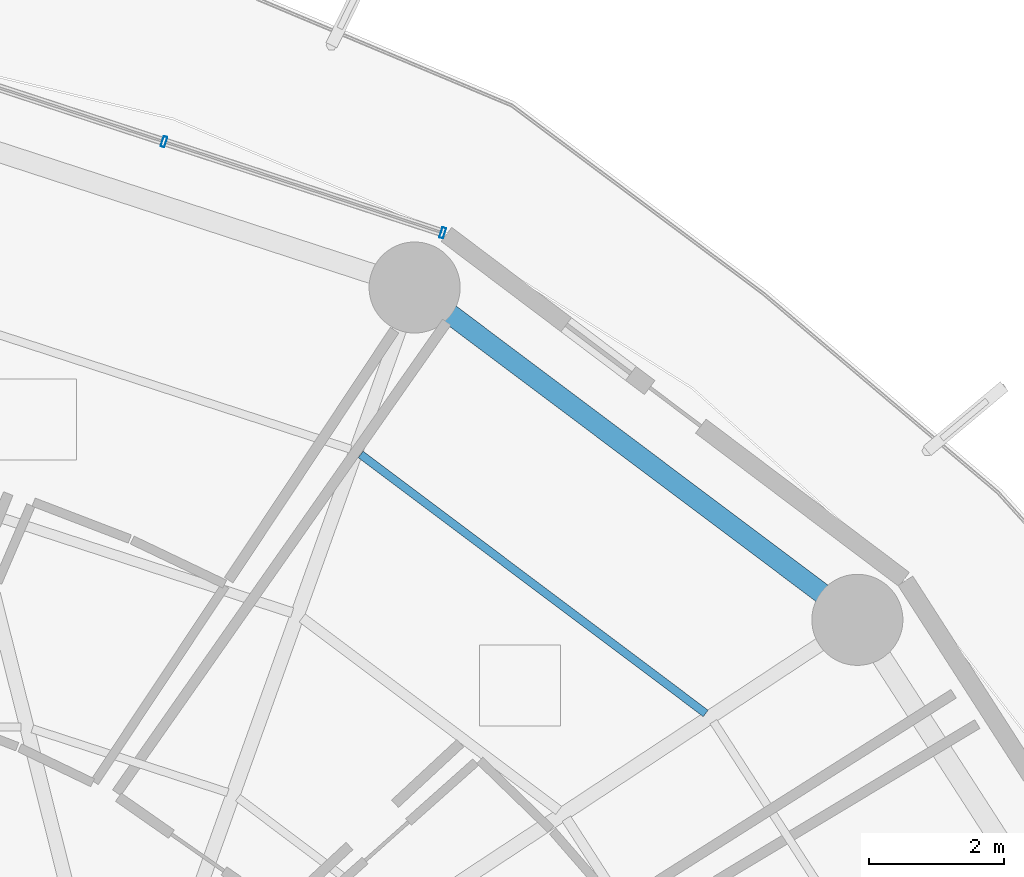
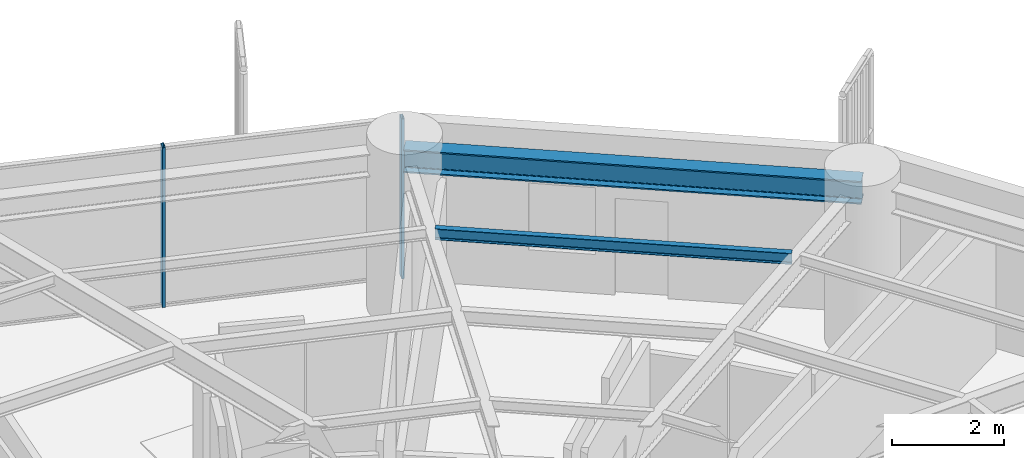
# One storey, part 22 of 34: 2 beams, 2 members, 1 element without a shape of its own.
"""IFC4 building model written with IfcOpenShell, lengths in metres."""

from ifc_helpers import new_model, si_unit, direction, frame, origin, origin_2d, place, context, subcontext, project, spatial, hollow_rectangle, i_section, extrude, material, layer, layer_set, material_profile, profile_set, type_object, element, aggregate, save


model = new_model("IFC4")

# Units and contexts
model_context = context("Model", 3, precision=1e-05, world=origin(), true_north=direction((0.0, 1.0)))
body_context = subcontext(model_context, "Body", "Model", "MODEL_VIEW")
ifc_project = project(units=[si_unit("LENGTHUNIT", "METRE"), si_unit("AREAUNIT", "SQUARE_METRE"), si_unit("VOLUMEUNIT", "CUBIC_METRE"), si_unit("PLANEANGLEUNIT", "RADIAN"), si_unit("MASSUNIT", "GRAM", prefix="KILO")], contexts=[model_context])

# Site, building, storey
site_placement = place(None, origin())
site = spatial("IfcSite", under=ifc_project, at=site_placement, CompositionType="ELEMENT")
building_placement = place(site_placement, origin())
building = spatial("IfcBuilding", under=site, at=building_placement, Name="Kelanora Arch Commons", CompositionType="ELEMENT")
storey_placement = place(building_placement, frame((0.0, 0.0, 76.35009765625)))
storey = spatial("IfcBuildingStorey", under=building, at=storey_placement, Name="L19", CompositionType="ELEMENT", Elevation=76.35009765625)

# Beams
ifc_material_1 = material(Name="Steel S355", Category="steel")
ifc_material_profile_1 = material_profile(ifc_material_1, i_section(OverallWidth=0.1201171875, OverallDepth=0.239990234375, WebThickness=0.006103515625, FlangeThickness=0.009765625, FilletRadius=0.014892578125, at=origin_2d()), Name="IPE240")
ifc_profile_set_1 = profile_set([ifc_material_profile_1], Name="Steel S355")
beam_type_1 = type_object("IfcBeamType", Name="BM-JST-02", PredefinedType="JOIST", material=ifc_profile_set_1)
beam_1_placement = place(storey_placement, frame((90.65673828125, 70.805419921875, 3.369873046875), z_axis=(-0.799734335646, 0.600354055861, 0.0), x_axis=(-0.600354055861, -0.799734335646, 0.0)))
element("IfcBeam", 1, at=beam_1_placement, inside=storey, type_object=beam_type_1, Name="Secondary Chord Joist BJC-04 L19", PredefinedType="JOIST", context=body_context, shape_type="SweptSolid", body=[
    extrude(i_section(OverallWidth=0.1201171875, OverallDepth=0.239990234375, WebThickness=0.006103515625, FlangeThickness=0.009765625, FilletRadius=0.014892578125, at=origin_2d()), origin(), (0.0, 0.0, 1.0), 6.39794921875),
])
ifc_material_profile_2 = material_profile(ifc_material_1, i_section(OverallWidth=0.300048828125, OverallDepth=0.5, WebThickness=0.014404296875, FlangeThickness=0.028076171875, FilletRadius=0.027099609375, at=origin_2d()), Name="HEB500")
ifc_profile_set_2 = profile_set([ifc_material_profile_2], Name="Steel S355")
beam_type_2 = type_object("IfcBeamType", Name="BM-SPN-Z2", PredefinedType="SPANDREL", material=ifc_profile_set_2)
beam_2_placement = place(storey_placement, frame((92.906005859375, 72.19287109375, 3.239990234375), z_axis=(-0.799735861602, 0.600352023123, 0.0), x_axis=(-0.600352023123, -0.799735861602, 0.0)))
element("IfcBeam", 2, at=beam_2_placement, inside=storey, type_object=beam_type_2, Name="Perimeter Spandrel Beam BS-04 L19", PredefinedType="SPANDREL", context=body_context, shape_type="SweptSolid", body=[
    extrude(i_section(OverallWidth=0.300048828125, OverallDepth=0.5, WebThickness=0.014404296875, FlangeThickness=0.028076171875, FilletRadius=0.027099609375, at=origin_2d()), origin(), (0.0, 0.0, 1.0), 8.210205078125),
])

# Curtain wall, members
ifc_material_2 = material(Name="Terracotta ceramic-fritted low-E glass and aluminium", Category="masonry")
ifc_layer = layer(ifc_material_2, 0.159912109375)
ifc_layer_set = layer_set([ifc_layer], Name="Terracotta ceramic-fritted low-E glass and aluminium")
curtain_wall_type = type_object("IfcCurtainWallType", Name="CW-SYS-01", PredefinedType="NOTDEFINED", material=ifc_layer_set)
curtain_wall_placement = place(storey_placement, origin())
curtain_wall = element("IfcCurtainWall", 3, at=curtain_wall_placement, inside=storey, type_object=curtain_wall_type, Name="Unitised Curtain Wall L19-B03", PredefinedType="NOTDEFINED")
ifc_material_3 = material(Name="Powder-coated aluminium terracotta", Category="masonry")
ifc_material_profile_3 = material_profile(ifc_material_3, hollow_rectangle(XDim=0.159912109375, YDim=0.06005859375, WallThickness=0.0048828125, InnerFilletRadius=0.0048828125, OuterFilletRadius=0.010009765625, at=origin_2d()), Name="CWM160x60")
ifc_profile_set_3 = profile_set([ifc_material_profile_3], Name="Powder-coated aluminium terracotta")
member_type = type_object("IfcMemberType", Name="CWM-STD", PredefinedType="MULLION", material=ifc_profile_set_3)
member_1_placement = place(storey_placement, frame((86.757080078125, 77.9326171875, 0.0), z_axis=(0.0, 0.0, 1.0), x_axis=(-0.31080470294, -0.950473795867, 0.0)))
member_1 = element("IfcMember", 4, at=member_1_placement, type_object=member_type, Name="CW-01 mullion 1", PredefinedType="MULLION", context=body_context, shape_type="SweptSolid", body=[
    extrude(hollow_rectangle(XDim=0.159912109375, YDim=0.06005859375, WallThickness=0.0048828125, InnerFilletRadius=0.0048828125, OuterFilletRadius=0.010009765625, at=origin_2d()), origin(), (0.0, 0.0, 1.0), 3.474853515625),
])
member_2_placement = place(storey_placement, frame((82.622802734375, 79.28466796875, 0.0), z_axis=(0.0, 0.0, 1.0), x_axis=(-0.31080470294, -0.950473795867, 0.0)))
member_2 = element("IfcMember", 5, at=member_2_placement, type_object=member_type, Name="CW-01 mullion 2", PredefinedType="MULLION", context=body_context, shape_type="SweptSolid", body=[
    extrude(hollow_rectangle(XDim=0.159912109375, YDim=0.06005859375, WallThickness=0.0048828125, InnerFilletRadius=0.0048828125, OuterFilletRadius=0.010009765625, at=origin_2d()), origin(), (0.0, 0.0, 1.0), 3.474853515625),
])
aggregate(curtain_wall, [member_1, member_2])

save(model, "model.ifc")
